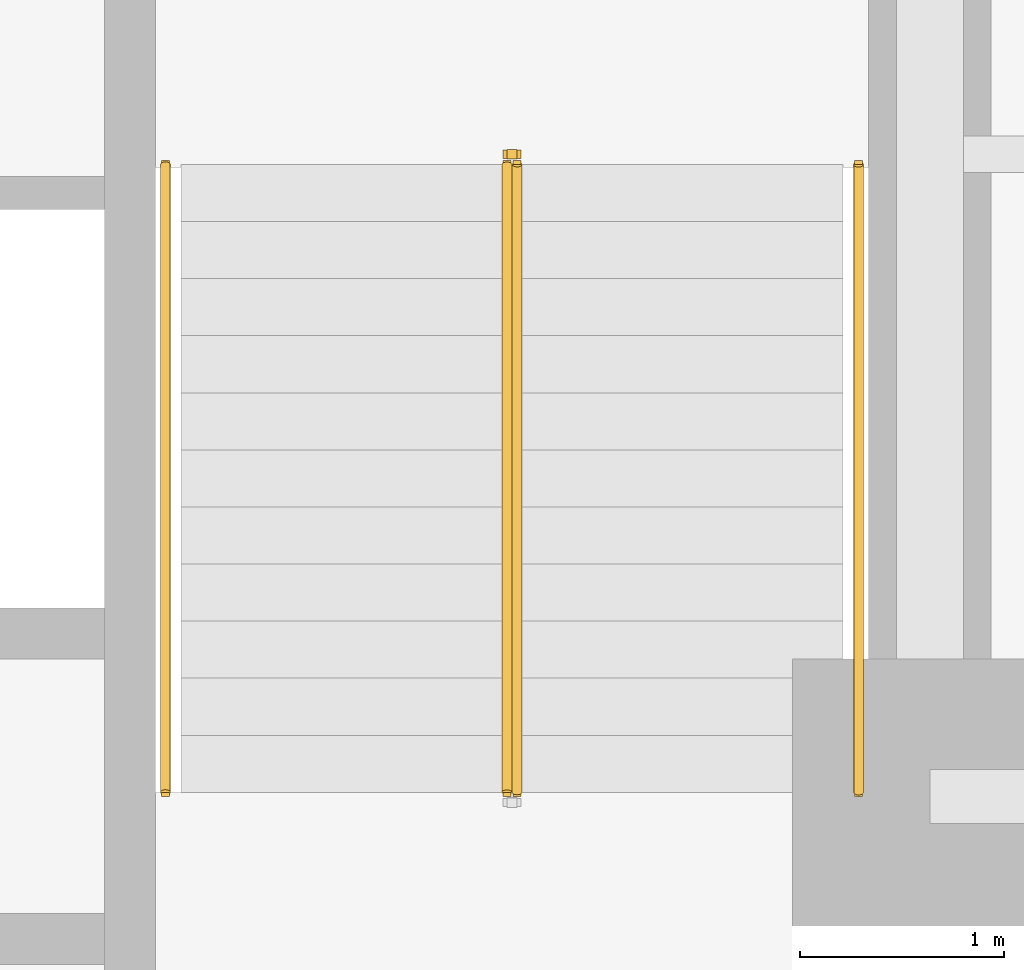
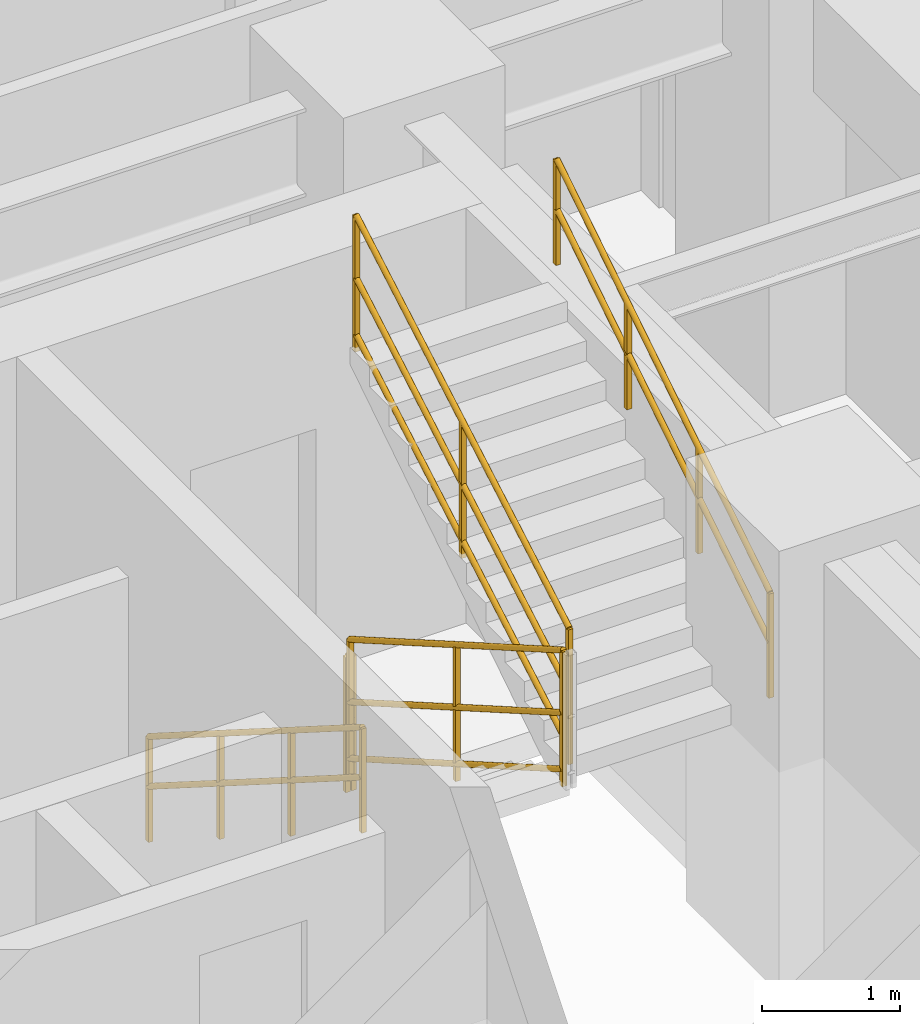
# One storey, part 9 of 10: 5 railings.
"""IFC4 building model written with IfcOpenShell, lengths in metres."""

from ifc_helpers import new_model, entity, si_unit, converted_unit, direction, frame, origin_with_axes, origin_2d_with_axis, place, context, subcontext, project, spatial, rectangle, circle, extrude, material, type_object, element, save


model = new_model("IFC4")

# Units and contexts
model_context = context("Model", 3, precision=1e-05, world=origin_with_axes(), true_north=direction((0.0, 1.0)))
body_context = subcontext(model_context, "Body", "Model", "MODEL_VIEW")
ifc_project = project(units=[si_unit("LENGTHUNIT", "METRE"), si_unit("AREAUNIT", "SQUARE_METRE"), si_unit("VOLUMEUNIT", "CUBIC_METRE"), converted_unit("PLANEANGLEUNIT", "DEGREE", entity("IfcPlaneAngleMeasure", 0.017453292519943295), si_unit("PLANEANGLEUNIT", "RADIAN"), dimensions=[0, 0, 0, 0, 0, 0, 0]), si_unit("MASSUNIT", "GRAM", prefix="KILO"), si_unit("THERMODYNAMICTEMPERATUREUNIT", "KELVIN")], contexts=[model_context])

# Site, building, storey
site_placement = place(None, origin_with_axes())
site = spatial("IfcSite", under=ifc_project, at=site_placement, CompositionType="ELEMENT")
building_placement = place(site_placement, origin_with_axes())
building = spatial("IfcBuilding", under=site, at=building_placement, Name="Varnlund Millrace Tower", CompositionType="ELEMENT")
storey_placement = place(building_placement, frame((0.0, 0.0, 48.3), z_axis=(0.0, 0.0, 1.0), x_axis=(1.0, 0.0, 0.0)))
storey = spatial("IfcBuildingStorey", under=building, at=storey_placement, Name="L11", CompositionType="ELEMENT", Elevation=48.3)

# Railings
ifc_material_1 = material(Name="Painted steel stair well balustrade guard", Category="steel")
railing_type_1 = type_object("IfcRailingType", Name="Type-StairGuard-1150", PredefinedType="GUARDRAIL", material=ifc_material_1)
railing_1_placement = place(storey_placement, frame((0.0, 0.0, -48.3), z_axis=(0.0, 0.0, 1.0), x_axis=(1.0, 0.0, 0.0)))
element("IfcRailing", 1, at=railing_1_placement, inside=storey, type_object=railing_type_1, Name="Type-StairGuard-1150", PredefinedType="GUARDRAIL", context=body_context, shape_type="SweptSolid", body=[
    extrude(circle(Radius=0.024, at=origin_2d_with_axis()), frame((45.975, 21.1, 49.627273), z_axis=(0.0, -0.866696, 0.498836), x_axis=(1.0, 0.0, 0.0)), (0.0, 0.0, 1.0), 3.553725),
    extrude(circle(Radius=0.024, at=origin_2d_with_axis()), frame((45.975, 21.1, 48.577273), z_axis=(0.0, -0.866696, 0.498836), x_axis=(1.0, 0.0, 0.0)), (0.0, 0.0, 1.0), 3.553725),
    extrude(circle(Radius=0.024, at=origin_2d_with_axis()), frame((45.975, 21.1, 49.075273), z_axis=(0.0, -0.866696, 0.498836), x_axis=(1.0, 0.0, 0.0)), (0.0, 0.0, 1.0), 3.553725),
    extrude(rectangle(XDim=0.04, YDim=0.04, at=origin_2d_with_axis()), frame((45.975, 21.1, 48.437273), z_axis=(0.0, 0.0, 1.0), x_axis=(1.0, 0.0, 0.0)), (0.0, 0.0, 1.0), 1.19),
    extrude(rectangle(XDim=0.04, YDim=0.04, at=origin_2d_with_axis()), frame((45.975, 19.56, 49.323636), z_axis=(0.0, 0.0, 1.0), x_axis=(1.0, 0.0, 0.0)), (0.0, 0.0, 1.0), 1.19),
    extrude(rectangle(XDim=0.04, YDim=0.04, at=origin_2d_with_axis()), frame((45.975, 18.02, 50.21), z_axis=(0.0, 0.0, 1.0), x_axis=(1.0, 0.0, 0.0)), (0.0, 0.0, 1.0), 1.19),
])
railing_2_placement = place(storey_placement, frame((0.0, 0.0, -48.3), z_axis=(0.0, 0.0, 1.0), x_axis=(1.0, 0.0, 0.0)))
element("IfcRailing", 2, at=railing_2_placement, inside=storey, type_object=railing_type_1, Name="Type-StairGuard-1150", PredefinedType="GUARDRAIL", context=body_context, shape_type="SweptSolid", body=[
    extrude(circle(Radius=0.024, at=origin_2d_with_axis()), frame((46.025, 18.02, 51.577273), z_axis=(0.0, 0.866696, 0.498836), x_axis=(-1.0, 0.0, 0.0)), (0.0, 0.0, 1.0), 3.553725),
    extrude(circle(Radius=0.024, at=origin_2d_with_axis()), frame((46.025, 18.02, 50.527273), z_axis=(0.0, 0.866696, 0.498836), x_axis=(-1.0, 0.0, 0.0)), (0.0, 0.0, 1.0), 3.553725),
    extrude(circle(Radius=0.024, at=origin_2d_with_axis()), frame((46.025, 18.02, 51.025273), z_axis=(0.0, 0.866696, 0.498836), x_axis=(-1.0, 0.0, 0.0)), (0.0, 0.0, 1.0), 3.553725),
    extrude(rectangle(XDim=0.04, YDim=0.04, at=origin_2d_with_axis()), frame((46.025, 18.02, 50.387273), z_axis=(0.0, 0.0, 1.0), x_axis=(1.0, 0.0, 0.0)), (0.0, 0.0, 1.0), 1.19),
    extrude(rectangle(XDim=0.04, YDim=0.04, at=origin_2d_with_axis()), frame((46.025, 19.56, 51.273637), z_axis=(0.0, 0.0, 1.0), x_axis=(1.0, 0.0, 0.0)), (0.0, 0.0, 1.0), 1.19),
    extrude(rectangle(XDim=0.04, YDim=0.04, at=origin_2d_with_axis()), frame((46.025, 21.1, 52.16), z_axis=(0.0, 0.0, 1.0), x_axis=(1.0, 0.0, 0.0)), (0.0, 0.0, 1.0), 1.19),
])
railing_3_placement = place(storey_placement, frame((0.0, 0.0, -48.3), z_axis=(0.0, 0.0, 1.0), x_axis=(1.0, 0.0, 0.0)))
element("IfcRailing", 3, at=railing_3_placement, inside=storey, type_object=railing_type_1, Name="Type-StairGuard-1150", PredefinedType="GUARDRAIL", context=body_context, shape_type="SweptSolid", body=[
    extrude(circle(Radius=0.024, at=origin_2d_with_axis()), frame((46.025, 21.15, 49.45), z_axis=(-1.0, 0.0, 0.0), x_axis=(0.0, -1.0, 0.0)), (0.0, 0.0, 1.0), 0.05),
    extrude(circle(Radius=0.024, at=origin_2d_with_axis()), frame((46.025, 21.15, 48.4), z_axis=(-1.0, 0.0, 0.0), x_axis=(0.0, -1.0, 0.0)), (0.0, 0.0, 1.0), 0.05),
    extrude(circle(Radius=0.024, at=origin_2d_with_axis()), frame((46.025, 21.15, 48.898), z_axis=(-1.0, 0.0, 0.0), x_axis=(0.0, -1.0, 0.0)), (0.0, 0.0, 1.0), 0.05),
    extrude(rectangle(XDim=0.04, YDim=0.04, at=origin_2d_with_axis()), frame((46.025, 21.15, 48.26), z_axis=(0.0, 0.0, 1.0), x_axis=(1.0, 0.0, 0.0)), (0.0, 0.0, 1.0), 1.19),
    extrude(rectangle(XDim=0.04, YDim=0.04, at=origin_2d_with_axis()), frame((45.975, 21.15, 48.26), z_axis=(0.0, 0.0, 1.0), x_axis=(1.0, 0.0, 0.0)), (0.0, 0.0, 1.0), 1.19),
])
ifc_material_2 = material(Name="Brushed architectural bronze stair handrail", Category="aluminium")
railing_type_2 = type_object("IfcRailingType", Name="Type-StairHandrail-900", PredefinedType="HANDRAIL", material=ifc_material_2)
railing_4_placement = place(storey_placement, frame((0.0, 0.0, -48.3), z_axis=(0.0, 0.0, 1.0), x_axis=(1.0, 0.0, 0.0)))
element("IfcRailing", 4, at=railing_4_placement, inside=storey, type_object=railing_type_2, Name="Type-StairHandrail-900", PredefinedType="HANDRAIL", context=body_context, shape_type="SweptSolid", body=[
    extrude(circle(Radius=0.024, at=origin_2d_with_axis()), frame((44.3, 21.1, 49.356995), z_axis=(0.0, -0.844902, 0.534922), x_axis=(1.0, 0.0, 0.0)), (0.0, 0.0, 1.0), 3.645394),
    extrude(circle(Radius=0.024, at=origin_2d_with_axis()), frame((44.3, 21.1, 48.917134), z_axis=(0.0, -0.844902, 0.534922), x_axis=(1.0, 0.0, 0.0)), (0.0, 0.0, 1.0), 3.645394),
    extrude(rectangle(XDim=0.04, YDim=0.04, at=origin_2d_with_axis()), frame((44.3, 21.1, 48.437273), z_axis=(0.0, 0.0, 1.0), x_axis=(1.0, 0.0, 0.0)), (0.0, 0.0, 1.0), 0.919722),
    extrude(rectangle(XDim=0.04, YDim=0.04, at=origin_2d_with_axis()), frame((44.3, 20.073333, 49.087273), z_axis=(0.0, 0.0, 1.0), x_axis=(1.0, 0.0, 0.0)), (0.0, 0.0, 1.0), 0.919722),
    extrude(rectangle(XDim=0.04, YDim=0.04, at=origin_2d_with_axis()), frame((44.3, 19.046667, 49.737273), z_axis=(0.0, 0.0, 1.0), x_axis=(1.0, 0.0, 0.0)), (0.0, 0.0, 1.0), 0.919722),
    extrude(rectangle(XDim=0.04, YDim=0.04, at=origin_2d_with_axis()), frame((44.3, 18.02, 50.387273), z_axis=(0.0, 0.0, 1.0), x_axis=(1.0, 0.0, 0.0)), (0.0, 0.0, 1.0), 0.919722),
])
railing_5_placement = place(storey_placement, frame((0.0, 0.0, -48.3), z_axis=(0.0, 0.0, 1.0), x_axis=(1.0, 0.0, 0.0)))
element("IfcRailing", 5, at=railing_5_placement, inside=storey, type_object=railing_type_2, Name="Type-StairHandrail-900", PredefinedType="HANDRAIL", context=body_context, shape_type="SweptSolid", body=[
    extrude(circle(Radius=0.024, at=origin_2d_with_axis()), frame((47.7, 18.02, 51.306995), z_axis=(0.0, 0.844902, 0.534922), x_axis=(-1.0, 0.0, 0.0)), (0.0, 0.0, 1.0), 3.645394),
    extrude(circle(Radius=0.024, at=origin_2d_with_axis()), frame((47.7, 18.02, 50.867134), z_axis=(0.0, 0.844902, 0.534922), x_axis=(-1.0, 0.0, 0.0)), (0.0, 0.0, 1.0), 3.645394),
    extrude(rectangle(XDim=0.04, YDim=0.04, at=origin_2d_with_axis()), frame((47.7, 18.02, 50.387273), z_axis=(0.0, 0.0, 1.0), x_axis=(1.0, 0.0, 0.0)), (0.0, 0.0, 1.0), 0.919722),
    extrude(rectangle(XDim=0.04, YDim=0.04, at=origin_2d_with_axis()), frame((47.7, 19.046667, 51.037273), z_axis=(0.0, 0.0, 1.0), x_axis=(1.0, 0.0, 0.0)), (0.0, 0.0, 1.0), 0.919722),
    extrude(rectangle(XDim=0.04, YDim=0.04, at=origin_2d_with_axis()), frame((47.7, 20.073333, 51.687273), z_axis=(0.0, 0.0, 1.0), x_axis=(1.0, 0.0, 0.0)), (0.0, 0.0, 1.0), 0.919722),
    extrude(rectangle(XDim=0.04, YDim=0.04, at=origin_2d_with_axis()), frame((47.7, 21.1, 52.337273), z_axis=(0.0, 0.0, 1.0), x_axis=(1.0, 0.0, 0.0)), (0.0, 0.0, 1.0), 0.919722),
])

save(model, "model.ifc")
